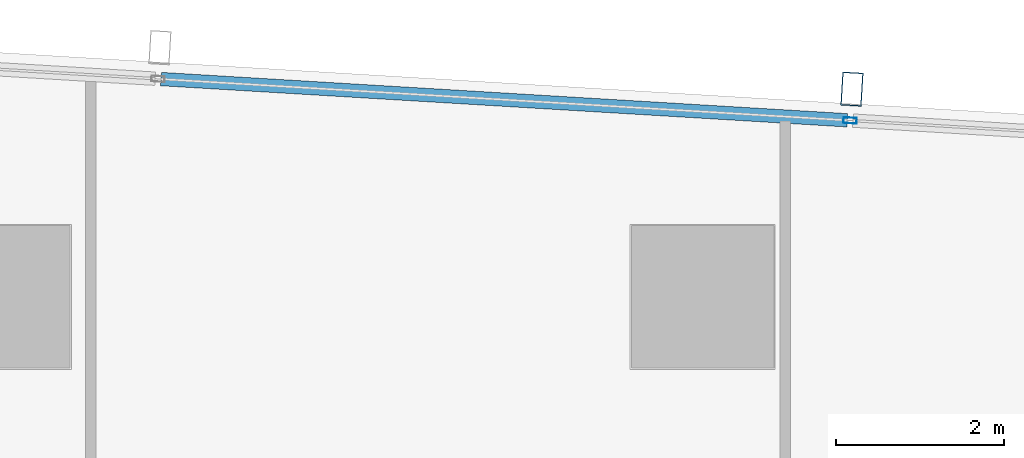
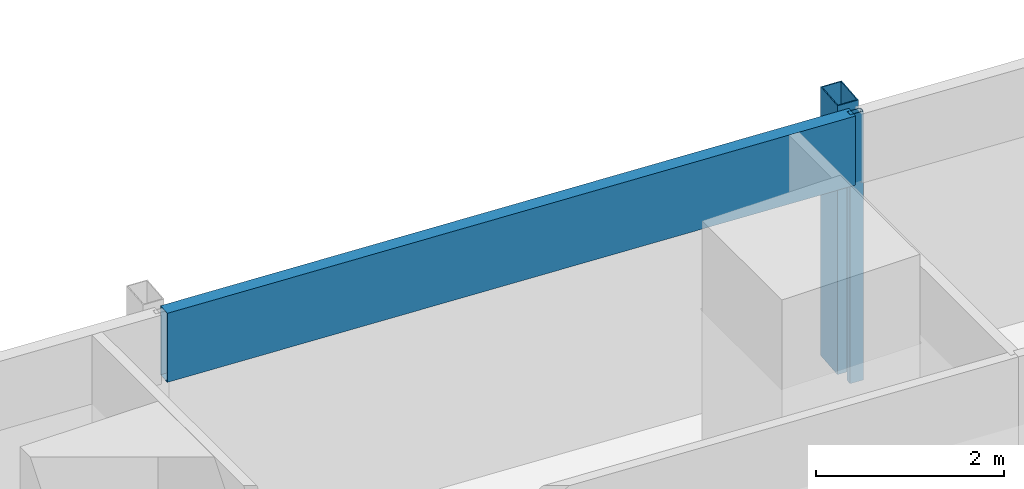
# One storey, part 19 of 38: 3 members, 1 element without a shape of its own.
"""IFC4 building model written with IfcOpenShell, lengths in metres."""

from ifc_helpers import new_model, si_unit, direction, frame, origin, origin_2d, place, context, subcontext, project, spatial, hollow_rectangle, extrude, material, material_profile, profile_set, type_object, element, aggregate, save


model = new_model("IFC4")

# Units and contexts
model_context = context("Model", 3, precision=1e-05, world=origin(), true_north=direction((0.0, 1.0)))
body_context = subcontext(model_context, "Body", "Model", "MODEL_VIEW")
ifc_project = project(units=[si_unit("LENGTHUNIT", "METRE"), si_unit("AREAUNIT", "SQUARE_METRE"), si_unit("VOLUMEUNIT", "CUBIC_METRE"), si_unit("PLANEANGLEUNIT", "RADIAN"), si_unit("MASSUNIT", "GRAM", prefix="KILO")], contexts=[model_context])

# Site, building, storey
site_placement = place(None, origin())
site = spatial("IfcSite", under=ifc_project, at=site_placement, CompositionType="ELEMENT")
building_placement = place(site_placement, origin())
building = spatial("IfcBuilding", under=site, at=building_placement, Name="Rekha Terrace Tower", CompositionType="ELEMENT")
storey_placement = place(building_placement, frame((0.0, 0.0, 114.050048828125)))
storey = spatial("IfcBuildingStorey", under=building, at=storey_placement, Name="L28", CompositionType="ELEMENT", Elevation=114.050048828125)

# Curtain wall, members
ifc_material_1 = material(Name="Aluminium framing", Category="aluminium")
curtain_wall_type = type_object("IfcCurtainWallType", Name="CW3 north unitised glazing", PredefinedType="USERDEFINED", material=ifc_material_1)
curtain_wall_placement = place(storey_placement, origin())
curtain_wall = element("IfcCurtainWall", 1, at=curtain_wall_placement, inside=storey, type_object=curtain_wall_type, Name="CW3 unitised curtain wall", ObjectType="UNITISED CURTAIN WALL", PredefinedType="USERDEFINED")
ifc_material_2 = material(Name="Steel S355 with fluorocarbon finish", Category="steel")
ifc_material_profile_1 = material_profile(ifc_material_2, hollow_rectangle(XDim=0.25, YDim=0.39990234375, WallThickness=0.012451171875, at=origin_2d()), Name="RHS400x250x12.5")
ifc_profile_set_1 = profile_set([ifc_material_profile_1], Name="Steel S355 with fluorocarbon finish")
member_type_1 = type_object("IfcMemberType", Name="BL1 facade blade RHS 400 x 250", PredefinedType="USERDEFINED", material=ifc_profile_set_1)
member_1_placement = place(storey_placement, frame((60.583740234375, 61.281005859375, 0.0), z_axis=(0.0, 0.0, 1.0), x_axis=(-0.998199123409, 0.059987582268, 0.0)))
member_1 = element("IfcMember", 2, at=member_1_placement, type_object=member_type_1, Name="Facade blade", ObjectType="FACADE BLADE", PredefinedType="USERDEFINED", context=body_context, shape_type="SweptSolid", body=[
    extrude(hollow_rectangle(XDim=0.25, YDim=0.39990234375, WallThickness=0.012451171875, at=origin_2d()), origin(), (0.0, 0.0, 1.0), 3.5),
])
ifc_material_3 = material(Name="Aluminium mullion section", Category="aluminium")
ifc_material_profile_2 = material_profile(ifc_material_3, hollow_rectangle(XDim=0.070068359375, YDim=0.159912109375, WallThickness=0.00390625, at=origin_2d()), Name="AL RHS 70x160")
ifc_profile_set_2 = profile_set([ifc_material_profile_2], Name="Aluminium mullion section")
member_type_2 = type_object("IfcMemberType", Name="CW3 mullion RHS 70 x 160", PredefinedType="MULLION", material=ifc_profile_set_2)
member_2_placement = place(storey_placement, frame((60.561279296875, 60.90673828125, 0.0), z_axis=(0.0, 0.0, 1.0), x_axis=(-0.059987926837, -0.998199102701, 0.0)))
member_2 = element("IfcMember", 3, at=member_2_placement, type_object=member_type_2, Name="CW3 mullion 2", PredefinedType="MULLION", context=body_context, shape_type="SweptSolid", body=[
    extrude(hollow_rectangle(XDim=0.070068359375, YDim=0.159912109375, WallThickness=0.00390625, at=origin_2d()), origin(), (0.0, 0.0, 1.0), 3.5),
])
ifc_material_4 = material(Name="Insulated aluminium spandrel box", Category="aluminium")
ifc_material_profile_3 = material_profile(ifc_material_4, hollow_rectangle(XDim=0.159912109375, YDim=0.89990234375, WallThickness=0.0029296875, at=origin_2d()), Name="AL SPANDREL BOX 160x900")
ifc_profile_set_3 = profile_set([ifc_material_profile_3], Name="Insulated aluminium spandrel box")
member_type_3 = type_object("IfcMemberType", Name="CW3 spandrel transom 160 x 900", PredefinedType="USERDEFINED", material=ifc_profile_set_3)
member_3_placement = place(storey_placement, frame((60.5263671875, 60.908935546875, 3.050048828125), z_axis=(-0.998199826332, 0.059975884418, 0.0), x_axis=(-0.059975884418, -0.998199826332, 0.0)))
member_3 = element("IfcMember", 4, at=member_3_placement, type_object=member_type_3, Name="CW3 spandrel transom 2", ObjectType="TRANSOM", PredefinedType="USERDEFINED", context=body_context, shape_type="SweptSolid", body=[
    extrude(hollow_rectangle(XDim=0.159912109375, YDim=0.89990234375, WallThickness=0.0029296875, at=origin_2d()), origin(), (0.0, 0.0, 1.0), 8.20654296875),
])
aggregate(curtain_wall, [member_2, member_3, member_1])

save(model, "model.ifc")
